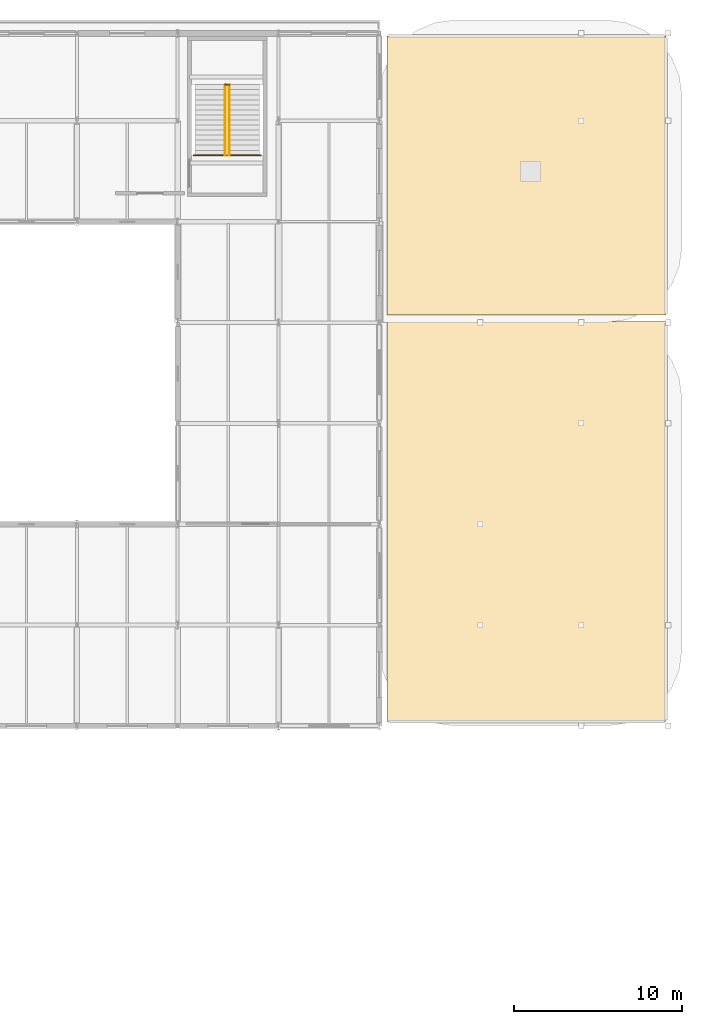
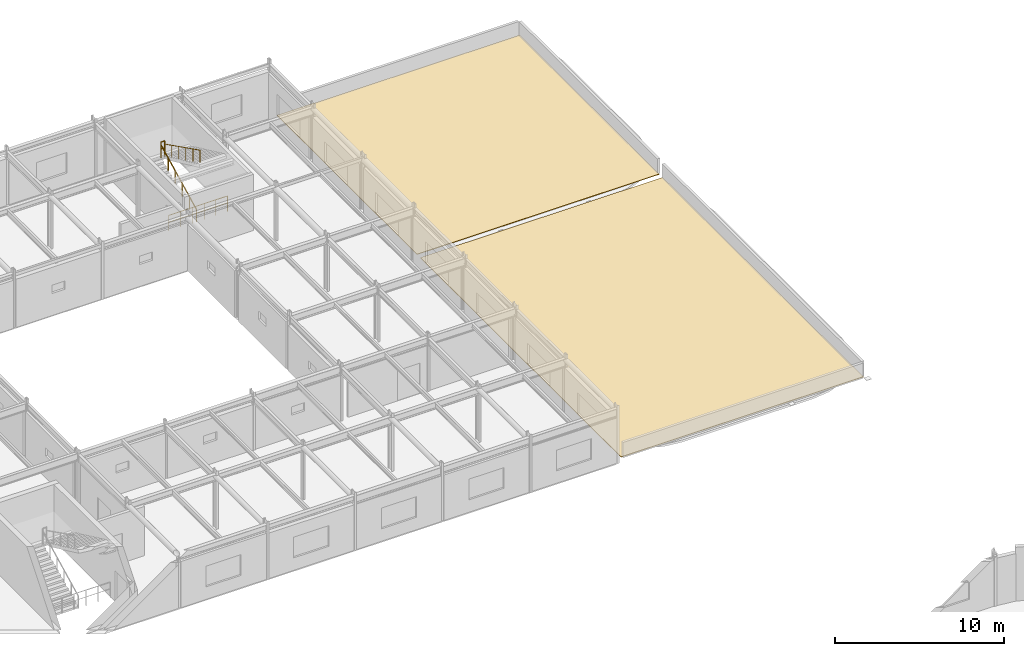
# One storey, part 116 of 116: 4 railings, 2 coverings.
"""IFC4 building model written with IfcOpenShell, lengths in metres."""

from ifc_helpers import new_model, si_unit, direction, frame, origin, origin_2d, place, context, subcontext, project, spatial, polyline, circle, outline, extrude, material, layer, layer_set, type_object, element, save


model = new_model("IFC4")

# Units and contexts
model_context = context("Model", 3, precision=1e-05, world=origin(), true_north=direction((0.0, 1.0)))
body_context = subcontext(model_context, "Body", "Model", "MODEL_VIEW")
ifc_project = project(units=[si_unit("LENGTHUNIT", "METRE"), si_unit("AREAUNIT", "SQUARE_METRE"), si_unit("VOLUMEUNIT", "CUBIC_METRE"), si_unit("PLANEANGLEUNIT", "RADIAN"), si_unit("MASSUNIT", "GRAM", prefix="KILO")], contexts=[model_context])

# Site, building, storey
site_placement = place(None, origin())
site = spatial("IfcSite", under=ifc_project, at=site_placement, CompositionType="ELEMENT")
building_placement = place(site_placement, origin())
building = spatial("IfcBuilding", under=site, at=building_placement, Name="Varnakota Square Police Headquarters", CompositionType="ELEMENT")
storey_placement = place(building_placement, frame((0.0, 0.0, 9.300048828125)))
storey = spatial("IfcBuildingStorey", under=building, at=storey_placement, Name="L02", CompositionType="ELEMENT", Elevation=9.300048828125)

# Coverings
ifc_material_1 = material(Name="High-Albedo White TPO Waterproofing Membrane")
ifc_layer = layer(ifc_material_1, 0.0400390625, Name="High-Albedo White TPO Waterproofing Membrane")
ifc_layer_set = layer_set([ifc_layer], Name="High-Albedo White TPO Waterproofing Membrane")
covering_type = type_object("IfcCoveringType", Name="COV-RF-MEM", PredefinedType="ROOFING", material=ifc_layer_set)
covering_1_placement = place(storey_placement, origin())
element("IfcCovering", 1, at=covering_1_placement, inside=storey, type_object=covering_type, Name="Roof waterproofing membrane RF-L02-SALLY", PredefinedType="ROOFING", context=body_context, shape_type="SweptSolid", body=[
    extrude(outline(polyline([(144.449951171875, 93.449951171875), (161.050048828125, 93.449951171875), (161.050048828125, 110.050048828125), (144.449951171875, 110.050048828125), (144.449951171875, 93.449951171875)])), origin(), (0.0, 0.0, 1.0), 0.0400390625),
])
covering_2_placement = place(storey_placement, origin())
element("IfcCovering", 2, at=covering_2_placement, inside=storey, type_object=covering_type, Name="Roof waterproofing membrane RF-L02-V7E", PredefinedType="ROOFING", context=body_context, shape_type="SweptSolid", body=[
    extrude(outline(polyline([(144.449951171875, 69.25), (161.050048828125, 69.25), (161.050048828125, 93.050048828125), (144.449951171875, 93.050048828125), (144.449951171875, 69.25)])), origin(), (0.0, 0.0, 1.0), 0.0400390625),
])

# Railings
ifc_material_2 = material(Name="Brushed Stainless Steel Tubular Handrail", Category="steel")
railing_type_1 = type_object("IfcRailingType", Name="RL-HND-920", PredefinedType="HANDRAIL", material=ifc_material_2)
railing_1_placement = place(storey_placement, frame((134.830078125, 102.949951171875, 0.0)))
element("IfcRailing", 3, at=railing_1_placement, inside=storey, type_object=railing_type_1, Name="Stair flight handrail HR-L02-089", PredefinedType="HANDRAIL", context=body_context, shape_type="SweptSolid", body=[
    extrude(circle(Radius=0.02392578125, at=origin_2d()), frame((0.0, 0.0, 0.89599609375), z_axis=(0.0, 0.894468775824, 0.447130416184), x_axis=(-1.0, 0.0, 0.0)), (0.0, 0.0, 1.0), 4.6962890625),
    extrude(circle(Radius=0.02099609375, at=origin_2d()), origin(), (0.0, 0.0, 1.0), 0.871826171875),
    extrude(circle(Radius=0.02099609375, at=origin_2d()), frame((0.0, 0.840087890625, 0.419921875)), (0.0, 0.0, 1.0), 0.871826171875),
    extrude(circle(Radius=0.02099609375, at=origin_2d()), frame((0.0, 1.68017578125, 0.83984375)), (0.0, 0.0, 1.0), 0.871826171875),
    extrude(circle(Radius=0.02099609375, at=origin_2d()), frame((0.0, 2.5205078125, 1.260009765625)), (0.0, 0.0, 1.0), 0.871826171875),
    extrude(circle(Radius=0.02099609375, at=origin_2d()), frame((0.0, 3.360595703125, 1.679931640625)), (0.0, 0.0, 1.0), 0.871826171875),
    extrude(circle(Radius=0.02099609375, at=origin_2d()), frame((0.0, 4.20068359375, 2.099853515625)), (0.0, 0.0, 1.0), 0.871826171875),
])
railing_2_placement = place(storey_placement, frame((135.070068359375, 107.150634765625, 2.099853515625)))
element("IfcRailing", 4, at=railing_2_placement, inside=storey, type_object=railing_type_1, Name="Stair flight handrail HR-L02-090", PredefinedType="HANDRAIL", context=body_context, shape_type="SweptSolid", body=[
    extrude(circle(Radius=0.02392578125, at=origin_2d()), frame((0.0, 0.0, 0.89599609375), z_axis=(0.0, -0.894447983895, 0.447172007292), x_axis=(1.0, 0.0, 0.0)), (0.0, 0.0, 1.0), 4.6962890625),
    extrude(circle(Radius=0.02099609375, at=origin_2d()), origin(), (0.0, 0.0, 1.0), 0.871826171875),
    extrude(circle(Radius=0.02099609375, at=origin_2d()), frame((0.0, -0.840087890625, 0.419921875)), (0.0, 0.0, 1.0), 0.871826171875),
    extrude(circle(Radius=0.02099609375, at=origin_2d()), frame((0.0, -1.68017578125, 0.840087890625)), (0.0, 0.0, 1.0), 0.871826171875),
    extrude(circle(Radius=0.02099609375, at=origin_2d()), frame((0.0, -2.5205078125, 1.260009765625)), (0.0, 0.0, 1.0), 0.871826171875),
    extrude(circle(Radius=0.02099609375, at=origin_2d()), frame((0.0, -3.360595703125, 1.68017578125)), (0.0, 0.0, 1.0), 0.871826171875),
    extrude(circle(Radius=0.02099609375, at=origin_2d()), frame((0.0, -4.20068359375, 2.10009765625)), (0.0, 0.0, 1.0), 0.871826171875),
])
ifc_material_3 = material(Name="Laminated Glass and Stainless Steel Balustrade", Category="steel")
railing_type_2 = type_object("IfcRailingType", Name="RL-INT-1150", PredefinedType="BALUSTRADE", material=ifc_material_3)
railing_3_placement = place(storey_placement, frame((132.93994140625, 102.949951171875, 0.0)))
element("IfcRailing", 5, at=railing_3_placement, inside=storey, type_object=railing_type_2, Name="Stair well safety guard C8 L02", PredefinedType="BALUSTRADE", context=body_context, shape_type="SweptSolid", body=[
    extrude(circle(Radius=0.02392578125, at=origin_2d()), frame((0.0, 0.0, 1.1259765625), z_axis=(1.0, 0.0, 0.0), x_axis=(0.0, 1.0, 0.0)), (0.0, 0.0, 1.0), 4.02001953125),
    extrude(circle(Radius=0.01806640625, at=origin_2d()), frame((0.0, 0.0, 0.63232421875), z_axis=(1.0, 0.0, 0.0), x_axis=(0.0, 1.0, 0.0)), (0.0, 0.0, 1.0), 4.02001953125),
    extrude(circle(Radius=0.02099609375, at=origin_2d()), origin(), (0.0, 0.0, 1.0), 1.101806640625),
    extrude(circle(Radius=0.02099609375, at=origin_2d()), frame((0.803955078125, 0.0, 0.0)), (0.0, 0.0, 1.0), 1.101806640625),
    extrude(circle(Radius=0.02099609375, at=origin_2d()), frame((1.60791015625, 0.0, 0.0)), (0.0, 0.0, 1.0), 1.101806640625),
    extrude(circle(Radius=0.02099609375, at=origin_2d()), frame((2.412109375, 0.0, 0.0)), (0.0, 0.0, 1.0), 1.101806640625),
    extrude(circle(Radius=0.02099609375, at=origin_2d()), frame((3.216064453125, 0.0, 0.0)), (0.0, 0.0, 1.0), 1.101806640625),
    extrude(circle(Radius=0.02099609375, at=origin_2d()), frame((4.02001953125, 0.0, 0.0)), (0.0, 0.0, 1.0), 1.101806640625),
])
railing_4_placement = place(storey_placement, frame((134.820068359375, 107.150634765625, 2.099853515625)))
element("IfcRailing", 6, at=railing_4_placement, inside=storey, type_object=railing_type_2, Name="Half-landing well guard C8 L02", PredefinedType="BALUSTRADE", context=body_context, shape_type="SweptSolid", body=[
    extrude(circle(Radius=0.02392578125, at=origin_2d()), frame((0.0, 0.0, 1.1259765625), z_axis=(1.0, 0.0, 0.0), x_axis=(0.0, 1.0, 0.0)), (0.0, 0.0, 1.0), 0.260009765625),
    extrude(circle(Radius=0.01806640625, at=origin_2d()), frame((0.0, 0.0, 0.63232421875), z_axis=(1.0, 0.0, 0.0), x_axis=(0.0, 1.0, 0.0)), (0.0, 0.0, 1.0), 0.260009765625),
    extrude(circle(Radius=0.02099609375, at=origin_2d()), origin(), (0.0, 0.0, 1.0), 1.101806640625),
    extrude(circle(Radius=0.02099609375, at=origin_2d()), frame((0.260009765625, 0.0, 0.0)), (0.0, 0.0, 1.0), 1.101806640625),
])

save(model, "model.ifc")
